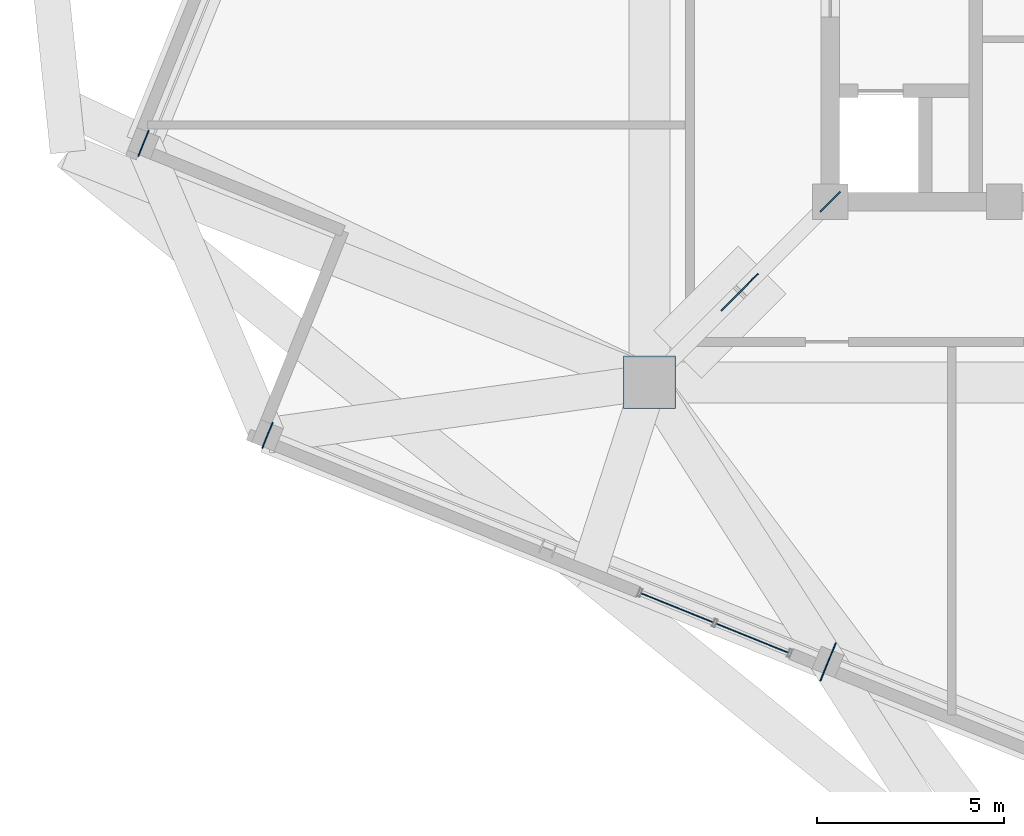
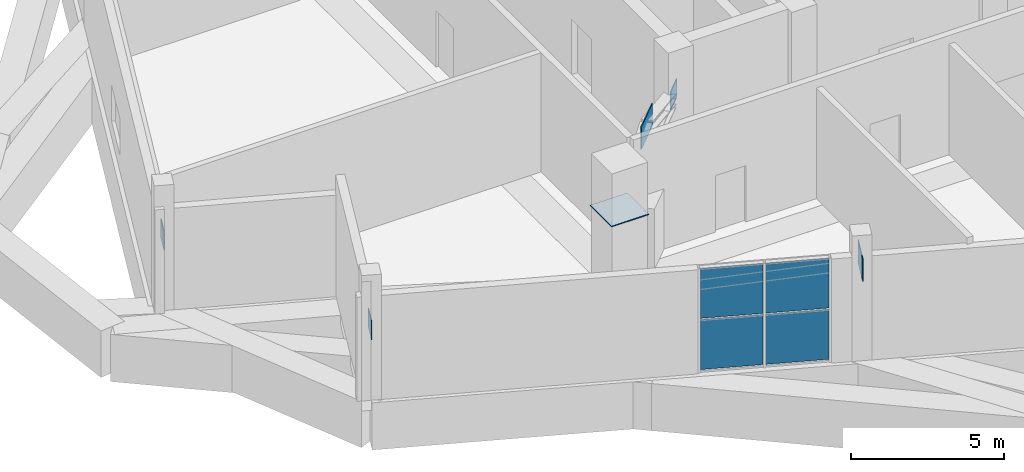
# One storey, part 11 of 20: 10 plates, 1 element without a shape of its own.
"""IFC4 building model written with IfcOpenShell, lengths in metres."""

from ifc_helpers import new_model, si_unit, direction, frame, origin, origin_2d, place, context, subcontext, project, spatial, rectangle, extrude, source, transform, mapped, material, layer, layer_set, type_object, element, aggregate, save


model = new_model("IFC4")

# Units and contexts
model_context = context("Model", 3, precision=1e-05, world=origin(), true_north=direction((0.0, 1.0)))
body_context = subcontext(model_context, "Body", "Model", "MODEL_VIEW")
ifc_project = project(units=[si_unit("LENGTHUNIT", "METRE"), si_unit("AREAUNIT", "SQUARE_METRE"), si_unit("VOLUMEUNIT", "CUBIC_METRE"), si_unit("PLANEANGLEUNIT", "RADIAN"), si_unit("MASSUNIT", "GRAM", prefix="KILO"), si_unit("THERMODYNAMICTEMPERATUREUNIT", "KELVIN")], contexts=[model_context])

# Site, building, storey
site_placement = place(None, origin())
site = spatial("IfcSite", under=ifc_project, at=site_placement, CompositionType="ELEMENT")
building_placement = place(site_placement, origin())
building = spatial("IfcBuilding", under=site, at=building_placement, Name="Kosmvard Interchange Tower", CompositionType="ELEMENT")
storey_placement = place(building_placement, frame((0.0, 0.0, 260.199951171875)))
storey = spatial("IfcBuildingStorey", under=building, at=storey_placement, Name="L63", CompositionType="ELEMENT", Elevation=260.199951171875)

# Plates
ifc_material_1 = material(Name="Steel S460", Category="steel")
ifc_layer_1 = layer(ifc_material_1, 0.031982421875, Name="Steel S460")
ifc_layer_set_1 = layer_set([ifc_layer_1], Name="Steel S460")
plate_type_1 = type_object("IfcPlateType", Name="Belt Truss Gusset Plate 1100x1100x32 S460", PredefinedType="USERDEFINED", material=ifc_layer_set_1)
shared_shape_1 = source(origin(), body_context, "Body", "SweptSolid", [
    extrude(rectangle(XDim=0.75, YDim=0.031982421875, at=origin_2d()), origin(), (0.0, 0.0, 1.0), 0.75),
])
for number, where, z_axis, x_axis, name in (
    (1, (-8.25, -8.25, 2.545166015625), (0.0, 0.0, 1.0), (0.707106781187, 0.707106781187, 0.0), "L63 Outrigger Core End Gusset Plate 1"),
    (2, (-26.61962890625, -6.690185546875, 2.445068359375), (0.0, 0.0, 1.0), (0.374606593416, 0.927183854567, 0.0), "L63 Belt Truss End Gusset Plate BBN"),
    (3, (-23.30419921875, -14.5009765625, 2.445068359375), (0.0, 0.0, 1.0), (0.374606593416, 0.927183854567, 0.0), "L63 Belt Truss End Gusset Plate BAW"),
):
    element("IfcPlate", number, at=place(storey_placement, frame(where, z_axis=z_axis, x_axis=x_axis)), inside=storey, type_object=plate_type_1, Name=name, ObjectType="GUSSET_PLATE", PredefinedType="USERDEFINED", context=body_context, shape_type="MappedRepresentation", body=[
        mapped(shared_shape_1, transform((0.0, 0.0, 0.0), scale=1.0)),
    ])
ifc_layer_2 = layer(ifc_material_1, 0.035888671875, Name="Steel S460")
ifc_layer_set_2 = layer_set([ifc_layer_2], Name="Steel S460")
plate_type_2 = type_object("IfcPlateType", Name="Outrigger Node Gusset Plate 1400x1400x36 S460", PredefinedType="USERDEFINED", material=ifc_layer_set_2)
shared_shape_2 = source(origin(), body_context, "Body", "SweptSolid", [
    extrude(rectangle(XDim=1.39990234375, YDim=0.035888671875, at=origin_2d()), origin(), (0.0, 0.0, 1.0), 0.89990234375),
])
plate_1_placement = place(storey_placement, frame((-10.66552734375, -10.66552734375, 3.5), z_axis=(0.0, 0.0, 1.0), x_axis=(0.707106781187, 0.707106781187, 0.0)))
element("IfcPlate", 4, at=plate_1_placement, inside=storey, type_object=plate_type_2, Name="L63 Outrigger Node Gusset Plate 1", ObjectType="GUSSET_PLATE", PredefinedType="USERDEFINED", context=body_context, shape_type="MappedRepresentation", body=[
    mapped(shared_shape_2, transform((0.0, 0.0, 0.0), scale=1.0)),
])
ifc_layer_3 = layer(ifc_material_1, 0.034912109375, Name="Steel S460")
ifc_layer_set_3 = layer_set([ifc_layer_3], Name="Steel S460")
plate_type_3 = type_object("IfcPlateType", Name="Mega-Column Splice Flange Plate 1400x1400x35 S460", PredefinedType="USERDEFINED", material=ifc_layer_set_3)
shared_shape_3 = source(origin(), body_context, "Body", "SweptSolid", [
    extrude(rectangle(XDim=1.39990234375, YDim=1.39990234375, at=origin_2d()), origin(), (0.0, 0.0, 1.0), 0.034912109375),
])
plate_2_placement = place(storey_placement, frame((-13.0810546875, -13.0810546875, 2.90283203125), z_axis=(0.0, 0.0, 1.0), x_axis=(1.0, 0.0, 0.0)))
element("IfcPlate", 5, at=plate_2_placement, inside=storey, type_object=plate_type_3, Name="L63 Mega-Column Splice Flange Plate 1", ObjectType="FLANGE_PLATE", PredefinedType="USERDEFINED", context=body_context, shape_type="MappedRepresentation", body=[
    mapped(shared_shape_3, transform((0.0, 0.0, 0.0), scale=1.0)),
])
shared_shape_4 = source(origin(), body_context, "Body", "SweptSolid", [
    extrude(rectangle(XDim=1.10009765625, YDim=0.031982421875, at=origin_2d()), origin(), (0.0, 0.0, 1.0), 0.89990234375),
])
plate_3_placement = place(storey_placement, frame((-8.306884765625, -20.560302734375, 3.320068359375), z_axis=(0.0, 0.0, 1.0), x_axis=(0.374606593416, 0.927183854567, 0.0)))
element("IfcPlate", 6, at=plate_3_placement, inside=storey, type_object=plate_type_1, Name="L63 Belt Truss Node Gusset Plate W", ObjectType="GUSSET_PLATE", PredefinedType="USERDEFINED", context=body_context, shape_type="MappedRepresentation", body=[
    mapped(shared_shape_4, transform((0.0, 0.0, 0.0), scale=1.0)),
])

# Curtain wall, plates
ifc_material_2 = material(Name="Architectural anodised aluminium", Category="aluminium")
ifc_layer_4 = layer(ifc_material_2, 0.2099609375, Name="Architectural anodised aluminium")
ifc_layer_set_4 = layer_set([ifc_layer_4], Name="Architectural anodised aluminium")
curtain_wall_type = type_object("IfcCurtainWallType", Name="CW-4 Refuge Transfer Glazed Louvre Wall", PredefinedType="NOTDEFINED", material=ifc_layer_set_4)
curtain_wall_placement = place(storey_placement, origin())
curtain_wall = element("IfcCurtainWall", 7, at=curtain_wall_placement, inside=storey, type_object=curtain_wall_type, Name="L63 Transfer Louvre Curtain Wall W", PredefinedType="NOTDEFINED")
ifc_material_3 = material(Name="Low-E solar-control double glazing", Category="glass")
ifc_layer_5 = layer(ifc_material_3, 0.028076171875, Name="Low-E solar-control double glazing")
ifc_layer_set_5 = layer_set([ifc_layer_5], Name="Low-E solar-control double glazing")
plate_type_4 = type_object("IfcPlateType", Name="Concourse Vision Curtain Panel 28", PredefinedType="CURTAIN_PANEL", material=ifc_layer_set_5)
shared_shape_5 = source(origin(), body_context, "Body", "SweptSolid", [
    extrude(rectangle(XDim=2.08740234375, YDim=0.028076171875, at=origin_2d()), origin(), (0.0, 0.0, 1.0), 1.9775390625),
])
plate_4_placement = place(storey_placement, frame((-12.340087890625, -19.1142578125, 0.06494140625), z_axis=(0.0, 0.0, 1.0), x_axis=(0.927183856711, -0.374606588108, 0.0)))
plate_4 = element("IfcPlate", 8, at=plate_4_placement, type_object=plate_type_4, Name="CW-4 panel 1.1", PredefinedType="CURTAIN_PANEL", context=body_context, shape_type="MappedRepresentation", body=[
    mapped(shared_shape_5, transform((0.0, 0.0, 0.0), scale=1.0)),
])
plate_5_placement = place(storey_placement, frame((-12.340087890625, -19.1142578125, 2.107421875), z_axis=(0.0, 0.0, 1.0), x_axis=(0.927183856711, -0.374606588108, 0.0)))
plate_5 = element("IfcPlate", 9, at=plate_5_placement, type_object=plate_type_4, Name="CW-4 panel 1.2", PredefinedType="CURTAIN_PANEL", context=body_context, shape_type="MappedRepresentation", body=[
    mapped(shared_shape_5, transform((0.0, 0.0, 0.0), scale=1.0)),
])
plate_6_placement = place(storey_placement, frame((-10.3349609375, -19.92431640625, 0.06494140625), z_axis=(0.0, 0.0, 1.0), x_axis=(0.927183856711, -0.374606588108, 0.0)))
plate_6 = element("IfcPlate", 10, at=plate_6_placement, type_object=plate_type_4, Name="CW-4 panel 2.1", PredefinedType="CURTAIN_PANEL", context=body_context, shape_type="MappedRepresentation", body=[
    mapped(shared_shape_5, transform((0.0, 0.0, 0.0), scale=1.0)),
])
plate_7_placement = place(storey_placement, frame((-10.3349609375, -19.92431640625, 2.107421875), z_axis=(0.0, 0.0, 1.0), x_axis=(0.927183856711, -0.374606588108, 0.0)))
plate_7 = element("IfcPlate", 11, at=plate_7_placement, type_object=plate_type_4, Name="CW-4 panel 2.2", PredefinedType="CURTAIN_PANEL", context=body_context, shape_type="MappedRepresentation", body=[
    mapped(shared_shape_5, transform((0.0, 0.0, 0.0), scale=1.0)),
])
aggregate(curtain_wall, [plate_4, plate_5, plate_6, plate_7])

save(model, "model.ifc")
